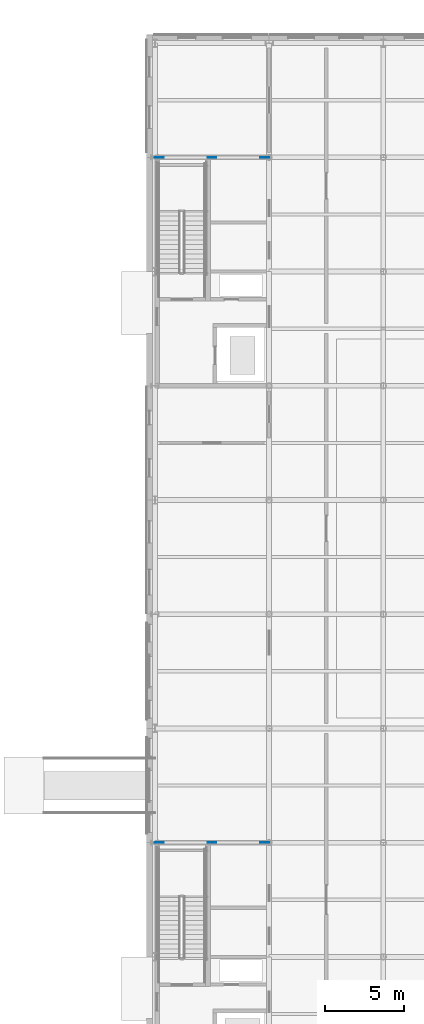
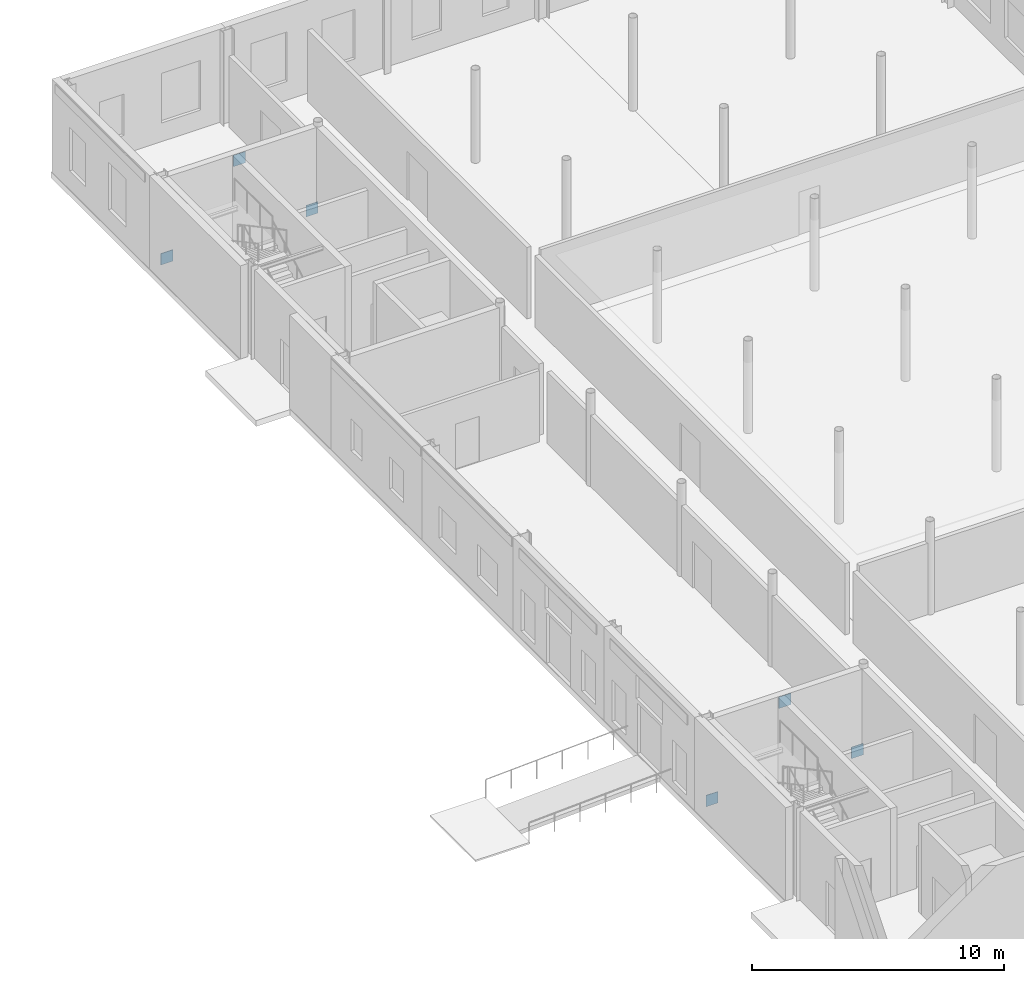
# One storey, part 52 of 92: 6 plates.
"""IFC4 building model written with IfcOpenShell, lengths in metres."""

from ifc_helpers import new_model, si_unit, direction, frame, origin, origin_2d, place, context, subcontext, project, spatial, rectangle, extrude, material, layer, layer_set, type_object, element, save


model = new_model("IFC4")

# Units and contexts
model_context = context("Model", 3, precision=1e-05, world=origin(), true_north=direction((0.0, 1.0)))
body_context = subcontext(model_context, "Body", "Model", "MODEL_VIEW")
ifc_project = project(units=[si_unit("LENGTHUNIT", "METRE"), si_unit("AREAUNIT", "SQUARE_METRE"), si_unit("VOLUMEUNIT", "CUBIC_METRE"), si_unit("PLANEANGLEUNIT", "RADIAN"), si_unit("MASSUNIT", "GRAM", prefix="KILO")], contexts=[model_context])

# Site, building, storey
site_placement = place(None, origin())
site = spatial("IfcSite", under=ifc_project, at=site_placement, CompositionType="ELEMENT")
building_placement = place(site_placement, origin())
building = spatial("IfcBuilding", under=site, at=building_placement, Name="Zlatovets Crest Museum", CompositionType="ELEMENT")
storey_placement = place(building_placement, origin())
storey = spatial("IfcBuildingStorey", under=building, at=storey_placement, Name="L00", CompositionType="ELEMENT", Elevation=0.0)

# Plates
ifc_material = material(Name="Structural steel S355J2", Category="steel")
ifc_layer = layer(ifc_material, 0.02490234375)
ifc_layer_set = layer_set([ifc_layer], Name="Structural steel S355J2")
plate_type = type_object("IfcPlateType", Name="Gusset_GP-01", PredefinedType="USERDEFINED", material=ifc_layer_set)
for number, where, z_axis, x_axis, name in (
    (1, (129.8798828125, 50.39990234375, 0.0048828125), (0.0, 0.0, 1.0), (1.0, 0.0, 0.0), "V5 L00 Brace End Gusset Plate GP-01"),
    (2, (136.52001953125, 50.39990234375, 0.0048828125), (0.0, 0.0, 1.0), (1.0, 0.0, 0.0), "V5 L00 Brace End Gusset Plate GP-01"),
    (3, (133.199951171875, 50.39990234375, 3.59521484375), (0.0, 0.0, 1.0), (1.0, 0.0, 0.0), "V5 L00 Brace End Gusset Plate GP-01"),
    (4, (129.8798828125, 93.60009765625, 0.0048828125), (0.0, 0.0, 1.0), (1.0, 0.0, 0.0), "V5 L00 Brace End Gusset Plate GP-01"),
    (5, (136.52001953125, 93.60009765625, 0.0048828125), (0.0, 0.0, 1.0), (1.0, 0.0, 0.0), "V5 L00 Brace End Gusset Plate GP-01"),
    (6, (133.199951171875, 93.60009765625, 3.59521484375), (0.0, 0.0, 1.0), (1.0, 0.0, 0.0), "V5 L00 Brace End Gusset Plate GP-01"),
):
    element("IfcPlate", number, at=place(storey_placement, frame(where, z_axis=z_axis, x_axis=x_axis)), inside=storey, type_object=plate_type, Name=name, ObjectType="GUSSET", PredefinedType="USERDEFINED", context=body_context, shape_type="SweptSolid", body=[
        extrude(rectangle(XDim=0.550048828125, YDim=0.02490234375, at=origin_2d()), origin(), (0.0, 0.0, 1.0), 0.550048828125),
    ])

save(model, "model.ifc")
